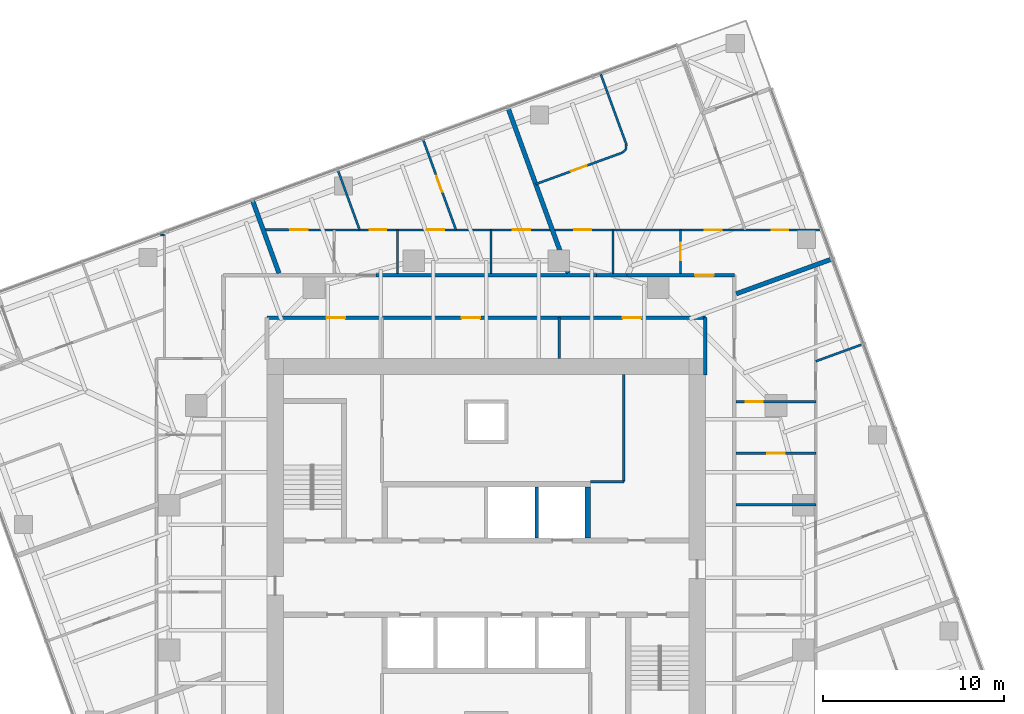
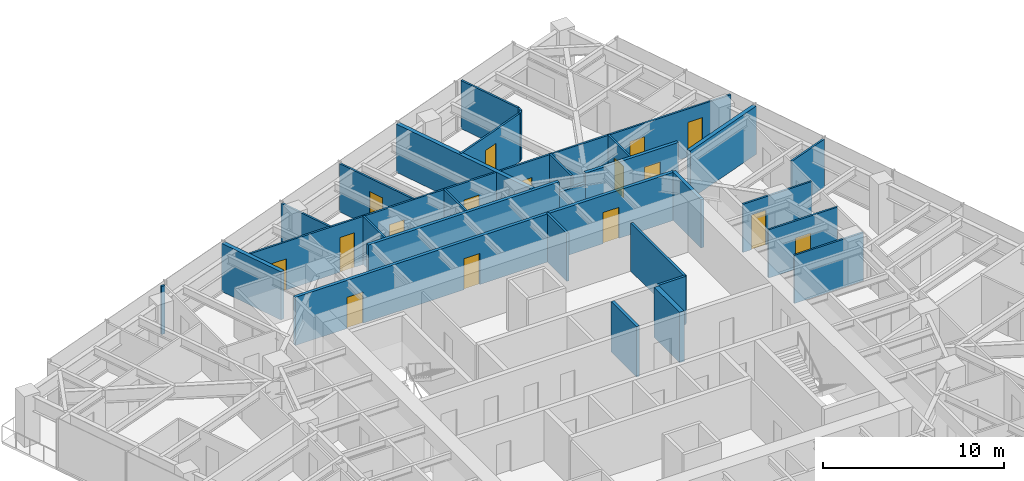
# One storey, part 11 of 13: 29 walls, 16 doors, 16 openings.
"""IFC4 building model written with IfcOpenShell, lengths in metres."""

from ifc_helpers import new_model, si_unit, direction, frame, frame_2d, origin, place, context, subcontext, project, spatial, rectangle, extrude, material, layer, layer_set, type_object, element, fill, save


model = new_model("IFC4")

# Units and contexts
model_context = context("Model", 3, precision=1e-05, world=origin(), true_north=direction((0.0, 1.0)))
body_context = subcontext(model_context, "Body", "Model", "MODEL_VIEW")
ifc_project = project(units=[si_unit("LENGTHUNIT", "METRE"), si_unit("AREAUNIT", "SQUARE_METRE"), si_unit("VOLUMEUNIT", "CUBIC_METRE"), si_unit("PLANEANGLEUNIT", "RADIAN"), si_unit("MASSUNIT", "GRAM", prefix="KILO")], contexts=[model_context])

# Site, building, storey
site_placement = place(None, origin())
site = spatial("IfcSite", under=ifc_project, at=site_placement, CompositionType="ELEMENT")
building_placement = place(site_placement, origin())
building = spatial("IfcBuilding", under=site, at=building_placement, Name="Torsade Residences", CompositionType="ELEMENT")
storey_placement = place(building_placement, frame((0.0, 0.0, 164.199951171875)))
storey = spatial("IfcBuildingStorey", under=building, at=storey_placement, Name="L45", CompositionType="ELEMENT", Elevation=164.199951171875)

# Wall
ifc_material_1 = material(Name="Concrete 80 MPa", Category="concrete")
ifc_layer_1 = layer(ifc_material_1, 0.300048828125)
ifc_layer_set_1 = layer_set([ifc_layer_1], Name="Concrete 80 MPa")
wall_type_1 = type_object("IfcWallType", Name="CORE INTERNAL WALL 300", PredefinedType="SHEAR", material=ifc_layer_set_1)
wall_1_placement = place(storey_placement, frame((45.60009765625, 32.199951171875, 0.0), z_axis=(0.0, 0.0, 1.0), x_axis=(0.0, 1.0, 0.0)))
element("IfcWall", 1, at=wall_1_placement, inside=storey, type_object=wall_type_1, Name="Core wall DN4 L45", PredefinedType="SHEAR", context=body_context, shape_type="SweptSolid", body=[
    extrude(rectangle(XDim=2.800048828125, YDim=0.300048828125, at=frame_2d((1.39990234375, 0.0))), origin(), (0.0, 0.0, 1.0), 3.400146484375),
])

# Wall, opening, door
ifc_material_2 = material(Name="Plasterboard on steel stud", Category="steel")
ifc_layer_2 = layer(ifc_material_2, 0.199951171875)
ifc_layer_set_2 = layer_set([ifc_layer_2], Name="Plasterboard on steel stud")
wall_type_2 = type_object("IfcWallType", Name="CORRIDOR WALL 200", PredefinedType="PARTITIONING", material=ifc_layer_set_2)
wall_2_placement = place(storey_placement, frame((53.699951171875, 46.699951171875, 0.0), z_axis=(0.0, 0.0, 1.0), x_axis=(-1.0, 0.0, 0.0)))
wall_2 = element("IfcWall", 2, at=wall_2_placement, inside=storey, type_object=wall_type_2, Name="Corridor wall L45", PredefinedType="PARTITIONING", context=body_context, shape_type="SweptSolid", body=[
    extrude(rectangle(XDim=5.9248046875, YDim=0.199951171875, at=frame_2d((2.96240234375, 0.0))), origin(), (0.0, 0.0, 1.0), 3.25),
])
opening_1_placement = place(wall_2_placement, frame((1.150634765625, 0.0, 0.0)))
opening_1 = element("IfcOpeningElement", 3, at=opening_1_placement, cuts=wall_2, Name="Opening D01", PredefinedType="OPENING", context=body_context, shape_type="SweptSolid", body=[
    extrude(rectangle(XDim=1.02001953125, YDim=2.340087890625, at=frame_2d((0.510009765625, 1.169921875))), frame((0.0, 0.10986328125, 0.0), z_axis=(0.0, -1.0, 0.0), x_axis=(1.0, 0.0, 0.0)), (0.0, 0.0, 1.0), 0.219970703125),
])
ifc_material_3 = material(Name="Solid-core timber fire door", Category="wood")
door_type_1 = type_object("IfcDoorType", Name="APARTMENT ENTRY DOOR 1020x2340", OperationType="NOTDEFINED", PredefinedType="DOOR", material=ifc_material_3)
door_1_placement = place(opening_1_placement, origin())
door_1 = element("IfcDoor", 4, at=door_1_placement, inside=storey, type_object=door_type_1, Name="Door Residential corridor to Kitchen and dining", OperationType="SINGLE_SWING_LEFT", OverallHeight=2.340087890625, OverallWidth=1.02001953125, PredefinedType="DOOR", context=body_context, shape_type="SweptSolid", body=[
    extrude(rectangle(XDim=1.02001953125, YDim=2.340087890625, at=frame_2d((0.510009765625, 1.169921875))), frame((0.0, 0.02490234375, 0.0), z_axis=(0.0, -1.0, 0.0), x_axis=(1.0, 0.0, 0.0)), (0.0, 0.0, 1.0), 0.050048828125),
])
fill(opening_1, door_1)

# Walls
wall_3_placement = place(storey_placement, frame((47.775146484375, 46.699951171875, 0.0), z_axis=(0.0, 0.0, 1.0), x_axis=(-1.0, 0.0, 0.0)))
element("IfcWall", 5, at=wall_3_placement, inside=storey, type_object=wall_type_2, Name="Corridor wall L45", PredefinedType="PARTITIONING", context=body_context, shape_type="SweptSolid", body=[
    extrude(rectangle(XDim=1.68359375, YDim=0.199951171875, at=frame_2d((0.841796875, 0.0))), origin(), (0.0, 0.0, 1.0), 2.550048828125),
])
wall_4_placement = place(storey_placement, frame((46.091552734375, 46.699951171875, 0.0), z_axis=(0.0, 0.0, 1.0), x_axis=(-1.0, 0.0, 0.0)))
element("IfcWall", 6, at=wall_4_placement, inside=storey, type_object=wall_type_2, Name="Corridor wall L45", PredefinedType="PARTITIONING", context=body_context, shape_type="SweptSolid", body=[
    extrude(rectangle(XDim=12.18310546875, YDim=0.199951171875, at=frame_2d((6.091552734375, 0.0))), origin(), (0.0, 0.0, 1.0), 3.25),
])

# Wall, openings, doors
wall_5_placement = place(storey_placement, frame((52.10009765625, 44.35009765625, 0.0), z_axis=(0.0, 0.0, 1.0), x_axis=(-1.0, 0.0, 0.0)))
wall_5 = element("IfcWall", 7, at=wall_5_placement, inside=storey, type_object=wall_type_2, Name="Corridor wall L45", PredefinedType="PARTITIONING", context=body_context, shape_type="SweptSolid", body=[
    extrude(rectangle(XDim=24.2001953125, YDim=0.199951171875, at=frame_2d((12.10009765625, 0.0))), origin(), (0.0, 0.0, 1.0), 3.25),
])
opening_2_placement = place(wall_5_placement, frame((12.43701171875, 0.0, 0.0)))
opening_2 = element("IfcOpeningElement", 8, at=opening_2_placement, cuts=wall_5, Name="Opening D03", PredefinedType="OPENING", context=body_context, shape_type="SweptSolid", body=[
    extrude(rectangle(XDim=1.02001953125, YDim=2.10009765625, at=frame_2d((0.510009765625, 1.050048828125))), frame((0.0, 0.10986328125, 0.0), z_axis=(0.0, -1.0, 0.0), x_axis=(1.0, 0.0, 0.0)), (0.0, 0.0, 1.0), 0.219970703125),
])
opening_3_placement = place(wall_5_placement, frame((3.544189453125, 0.0, 0.0)))
opening_3 = element("IfcOpeningElement", 9, at=opening_3_placement, cuts=wall_5, Name="Opening D03", PredefinedType="OPENING", context=body_context, shape_type="SweptSolid", body=[
    extrude(rectangle(XDim=1.02001953125, YDim=2.10009765625, at=frame_2d((0.510009765625, 1.050048828125))), frame((0.0, 0.10986328125, 0.0), z_axis=(0.0, -1.0, 0.0), x_axis=(1.0, 0.0, 0.0)), (0.0, 0.0, 1.0), 0.219970703125),
])
opening_4_placement = place(wall_5_placement, frame((19.8828125, 0.0, 0.0)))
opening_4 = element("IfcOpeningElement", 10, at=opening_4_placement, cuts=wall_5, Name="Opening D03", PredefinedType="OPENING", context=body_context, shape_type="SweptSolid", body=[
    extrude(rectangle(XDim=1.02001953125, YDim=2.10009765625, at=frame_2d((0.510009765625, 1.050048828125))), frame((0.0, 0.10986328125, 0.0), z_axis=(0.0, -1.0, 0.0), x_axis=(1.0, 0.0, 0.0)), (0.0, 0.0, 1.0), 0.219970703125),
])
ifc_material_4 = material(Name="Steel-framed fire door", Category="steel")
door_type_2 = type_object("IfcDoorType", Name="FIRE DOOR 1020", OperationType="NOTDEFINED", PredefinedType="DOOR", material=ifc_material_4)
door_2_placement = place(opening_2_placement, origin())
door_2 = element("IfcDoor", 11, at=door_2_placement, inside=storey, type_object=door_type_2, Name="Door Residential corridor to Cleaner store", OperationType="SINGLE_SWING_LEFT", OverallHeight=2.10009765625, OverallWidth=1.02001953125, PredefinedType="DOOR", context=body_context, shape_type="SweptSolid", body=[
    extrude(rectangle(XDim=1.02001953125, YDim=2.10009765625, at=frame_2d((0.510009765625, 1.050048828125))), frame((0.0, 0.02490234375, 0.0), z_axis=(0.0, -1.0, 0.0), x_axis=(1.0, 0.0, 0.0)), (0.0, 0.0, 1.0), 0.050048828125),
])
fill(opening_2, door_2)
door_3_placement = place(opening_3_placement, origin())
door_3 = element("IfcDoor", 12, at=door_3_placement, inside=storey, type_object=door_type_2, Name="Door Residential corridor to Parcel room", OperationType="SINGLE_SWING_LEFT", OverallHeight=2.10009765625, OverallWidth=1.02001953125, PredefinedType="DOOR", context=body_context, shape_type="SweptSolid", body=[
    extrude(rectangle(XDim=1.02001953125, YDim=2.10009765625, at=frame_2d((0.510009765625, 1.050048828125))), frame((0.0, 0.02490234375, 0.0), z_axis=(0.0, -1.0, 0.0), x_axis=(1.0, 0.0, 0.0)), (0.0, 0.0, 1.0), 0.050048828125),
])
fill(opening_3, door_3)
door_4_placement = place(opening_4_placement, origin())
door_4 = element("IfcDoor", 13, at=door_4_placement, inside=storey, type_object=door_type_2, Name="Door Residential corridor to Residents storage", OperationType="SINGLE_SWING_LEFT", OverallHeight=2.10009765625, OverallWidth=1.02001953125, PredefinedType="DOOR", context=body_context, shape_type="SweptSolid", body=[
    extrude(rectangle(XDim=1.02001953125, YDim=2.10009765625, at=frame_2d((0.510009765625, 1.050048828125))), frame((0.0, 0.02490234375, 0.0), z_axis=(0.0, -1.0, 0.0), x_axis=(1.0, 0.0, 0.0)), (0.0, 0.0, 1.0), 0.050048828125),
])
fill(opening_4, door_4)

# Walls
wall_6_placement = place(storey_placement, frame((52.10009765625, 41.179931640625, 0.0), z_axis=(0.0, 0.0, 1.0), x_axis=(0.0, 1.0, 0.0)))
element("IfcWall", 14, at=wall_6_placement, inside=storey, type_object=wall_type_2, Name="Corridor wall L45", PredefinedType="PARTITIONING", context=body_context, shape_type="SweptSolid", body=[
    extrude(rectangle(XDim=3.170166015625, YDim=0.199951171875, at=frame_2d((1.5849609375, 0.0))), origin(), (0.0, 0.0, 1.0), 3.25),
])
ifc_material_5 = material(Name="Reinforced blockwork", Category="masonry")
ifc_layer_3 = layer(ifc_material_5, 0.199951171875)
ifc_layer_set_3 = layer_set([ifc_layer_3], Name="Reinforced blockwork")
wall_type_3 = type_object("IfcWallType", Name="LIFT SHAFT DIVIDING WALL 200", PredefinedType="SOLIDWALL", material=ifc_layer_set_3)
wall_7_placement = place(storey_placement, frame((42.800048828125, 32.199951171875, 0.0), z_axis=(0.0, 0.0, 1.0), x_axis=(0.0, 1.0, 0.0)))
element("IfcWall", 15, at=wall_7_placement, inside=storey, type_object=wall_type_3, Name="Core wall DN3 L45", PredefinedType="SOLIDWALL", context=body_context, shape_type="SweptSolid", body=[
    extrude(rectangle(XDim=2.800048828125, YDim=0.199951171875, at=frame_2d((1.39990234375, 0.0))), origin(), (0.0, 0.0, 1.0), 3.400146484375),
])

# Wall, opening, door
ifc_material_6 = material(Name="Plasterboard on steel stud", Category="steel")
ifc_layer_4 = layer(ifc_material_6, 0.1201171875)
ifc_layer_set_4 = layer_set([ifc_layer_4], Name="Plasterboard on steel stud")
wall_type_4 = type_object("IfcWallType", Name="PARTITION 120", PredefinedType="PARTITIONING", material=ifc_layer_set_4)
wall_8_placement = place(storey_placement, frame((58.199951171875, 39.713134765625, 0.0), z_axis=(0.0, 0.0, 1.0), x_axis=(-1.0, 0.0, 0.0)))
wall_8 = element("IfcWall", 16, at=wall_8_placement, inside=storey, type_object=wall_type_4, Name="Partition L45", PredefinedType="PARTITIONING", context=body_context, shape_type="SweptSolid", body=[
    extrude(rectangle(XDim=4.39990234375, YDim=0.1201171875, at=frame_2d((2.199951171875, 0.0))), origin(), (0.0, 0.0, 1.0), 3.25),
])
opening_5_placement = place(wall_8_placement, frame((2.93994140625, 0.0, 0.0)))
opening_5 = element("IfcOpeningElement", 17, at=opening_5_placement, cuts=wall_8, Name="Opening D02", PredefinedType="OPENING", context=body_context, shape_type="SweptSolid", body=[
    extrude(rectangle(XDim=0.919921875, YDim=2.340087890625, at=frame_2d((0.4599609375, 1.169921875))), frame((0.0, 0.070068359375, 0.0), z_axis=(0.0, -1.0, 0.0), x_axis=(1.0, 0.0, 0.0)), (0.0, 0.0, 1.0), 0.14013671875),
])
ifc_material_7 = material(Name="Hollow-core timber door", Category="wood")
door_type_3 = type_object("IfcDoorType", Name="INTERNAL DOOR 920x2340", OperationType="NOTDEFINED", PredefinedType="DOOR", material=ifc_material_7)
door_5_placement = place(opening_5_placement, origin())
door_5 = element("IfcDoor", 18, at=door_5_placement, inside=storey, type_object=door_type_3, Name="Door Kitchen and dining to Dressing room", OperationType="SINGLE_SWING_LEFT", OverallHeight=2.340087890625, OverallWidth=0.919921875, PredefinedType="DOOR", context=body_context, shape_type="SweptSolid", body=[
    extrude(rectangle(XDim=0.919921875, YDim=2.340087890625, at=frame_2d((0.4599609375, 1.169921875))), frame((0.0, 0.02490234375, 0.0), z_axis=(0.0, -1.0, 0.0), x_axis=(1.0, 0.0, 0.0)), (0.0, 0.0, 1.0), 0.050048828125),
])
fill(opening_5, door_5)

wall_9_placement = place(storey_placement, frame((53.800048828125, 36.869873046875, 0.0), z_axis=(0.0, 0.0, 1.0), x_axis=(1.0, 0.0, 0.0)))
wall_9 = element("IfcWall", 19, at=wall_9_placement, inside=storey, type_object=wall_type_4, Name="Partition L45", PredefinedType="PARTITIONING", context=body_context, shape_type="SweptSolid", body=[
    extrude(rectangle(XDim=4.39990234375, YDim=0.1201171875, at=frame_2d((2.199951171875, 0.0))), origin(), (0.0, 0.0, 1.0), 3.25),
])
opening_6_placement = place(wall_9_placement, frame((1.719970703125, 0.0, 0.0)))
opening_6 = element("IfcOpeningElement", 20, at=opening_6_placement, cuts=wall_9, Name="Opening D05", PredefinedType="OPENING", context=body_context, shape_type="SweptSolid", body=[
    extrude(rectangle(XDim=0.9599609375, YDim=2.10009765625, at=frame_2d((0.47998046875, 1.050048828125))), frame((0.0, 0.070068359375, 0.0), z_axis=(0.0, -1.0, 0.0), x_axis=(1.0, 0.0, 0.0)), (0.0, 0.0, 1.0), 0.14013671875),
])
ifc_material_8 = material(Name="Hollow-core timber door in a steel cavity frame", Category="steel")
door_type_4 = type_object("IfcDoorType", Name="BATHROOM CAVITY SLIDING DOOR 960", OperationType="SLIDING_TO_LEFT", PredefinedType="DOOR", material=ifc_material_8)
door_6_placement = place(opening_6_placement, origin())
door_6 = element("IfcDoor", 21, at=door_6_placement, inside=storey, type_object=door_type_4, Name="Door Dressing room to Bathroom", OperationType="SLIDING_TO_LEFT", OverallHeight=2.10009765625, OverallWidth=0.9599609375, PredefinedType="DOOR", context=body_context, shape_type="SweptSolid", body=[
    extrude(rectangle(XDim=0.9599609375, YDim=2.10009765625, at=frame_2d((0.47998046875, 1.050048828125))), frame((0.0, 0.02490234375, 0.0), z_axis=(0.0, -1.0, 0.0), x_axis=(1.0, 0.0, 0.0)), (0.0, 0.0, 1.0), 0.050048828125),
])
fill(opening_6, door_6)

# Walls
wall_10_placement = place(storey_placement, frame((58.199951171875, 34.026611328125, 0.0), z_axis=(0.0, 0.0, 1.0), x_axis=(-1.0, 0.0, 0.0)))
element("IfcWall", 22, at=wall_10_placement, inside=storey, type_object=wall_type_4, Name="Partition L45", PredefinedType="PARTITIONING", context=body_context, shape_type="SweptSolid", body=[
    extrude(rectangle(XDim=4.39990234375, YDim=0.1201171875, at=frame_2d((2.199951171875, 0.0))), origin(), (0.0, 0.0, 1.0), 3.25),
])
wall_11_placement = place(storey_placement, frame((58.199951171875, 41.945068359375, 0.0), z_axis=(0.0, 0.0, 1.0), x_axis=(0.939680234176, 0.34205417334, 0.0)))
element("IfcWall", 23, at=wall_11_placement, inside=storey, type_object=wall_type_4, Name="Partition L45", PredefinedType="PARTITIONING", context=body_context, shape_type="SweptSolid", body=[
    extrude(rectangle(XDim=2.772216796875, YDim=0.1201171875, at=frame_2d((1.38623046875, 0.0))), origin(), (0.0, 0.0, 1.0), 3.25),
])

# Wall, opening, door
wall_12_placement = place(storey_placement, frame((50.728759765625, 46.800048828125, 0.0), z_axis=(0.0, 0.0, 1.0), x_axis=(0.0, 1.0, 0.0)))
wall_12 = element("IfcWall", 24, at=wall_12_placement, inside=storey, type_object=wall_type_4, Name="Partition L45", PredefinedType="PARTITIONING", context=body_context, shape_type="SweptSolid", body=[
    extrude(rectangle(XDim=2.39990234375, YDim=0.1201171875, at=frame_2d((1.199951171875, 0.0))), origin(), (0.0, 0.0, 1.0), 3.25),
])
opening_7_placement = place(wall_12_placement, frame((0.719970703125, 0.0, 0.0)))
opening_7 = element("IfcOpeningElement", 25, at=opening_7_placement, cuts=wall_12, Name="Opening D05", PredefinedType="OPENING", context=body_context, shape_type="SweptSolid", body=[
    extrude(rectangle(XDim=0.9599609375, YDim=2.10009765625, at=frame_2d((0.47998046875, 1.050048828125))), frame((0.0, 0.070068359375, 0.0), z_axis=(0.0, -1.0, 0.0), x_axis=(1.0, 0.0, 0.0)), (0.0, 0.0, 1.0), 0.14013671875),
])
door_7_placement = place(opening_7_placement, origin())
door_7 = element("IfcDoor", 26, at=door_7_placement, inside=storey, type_object=door_type_4, Name="Door Kitchen and dining to Bathroom", OperationType="SLIDING_TO_LEFT", OverallHeight=2.10009765625, OverallWidth=0.9599609375, PredefinedType="DOOR", context=body_context, shape_type="SweptSolid", body=[
    extrude(rectangle(XDim=0.9599609375, YDim=2.10009765625, at=frame_2d((0.47998046875, 1.050048828125))), frame((0.0, 0.02490234375, 0.0), z_axis=(0.0, -1.0, 0.0), x_axis=(1.0, 0.0, 0.0)), (0.0, 0.0, 1.0), 0.050048828125),
])
fill(opening_7, door_7)

# Wall, openings, doors
wall_13_placement = place(storey_placement, frame((27.69091796875, 49.199951171875, 0.0), z_axis=(0.0, 0.0, 1.0), x_axis=(0.999999952285, -0.000308918217, 0.0)))
wall_13 = element("IfcWall", 27, at=wall_13_placement, inside=storey, type_object=wall_type_4, Name="Partition L45", PredefinedType="PARTITIONING", context=body_context, shape_type="SweptSolid", body=[
    extrude(rectangle(XDim=30.822021484375, YDim=0.1201171875, at=frame_2d((15.4111328125, 0.0))), origin(), (0.0, 0.0, 1.0), 3.25),
])
opening_8_placement = place(wall_13_placement, frame((5.88232421875, 0.0, 0.0)))
opening_8 = element("IfcOpeningElement", 28, at=opening_8_placement, cuts=wall_13, Name="Opening D02", PredefinedType="OPENING", context=body_context, shape_type="SweptSolid", body=[
    extrude(rectangle(XDim=0.919921875, YDim=2.340087890625, at=frame_2d((0.4599609375, 1.169921875))), frame((0.0, 0.070068359375, 0.0), z_axis=(0.0, -1.0, 0.0), x_axis=(1.0, 0.0, 0.0)), (0.0, 0.0, 1.0), 0.14013671875),
])
opening_9_placement = place(wall_13_placement, frame((28.070068359375, 0.0, 0.0)))
opening_9 = element("IfcOpeningElement", 29, at=opening_9_placement, cuts=wall_13, Name="Opening D02", PredefinedType="OPENING", context=body_context, shape_type="SweptSolid", body=[
    extrude(rectangle(XDim=0.919921875, YDim=2.340087890625, at=frame_2d((0.4599609375, 1.169921875))), frame((0.0, 0.070068359375, 0.0), z_axis=(0.0, -1.0, 0.0), x_axis=(1.0, 0.0, 0.0)), (0.0, 0.0, 1.0), 0.14013671875),
])
opening_10_placement = place(wall_13_placement, frame((24.3876953125, 0.0, 0.0)))
opening_10 = element("IfcOpeningElement", 30, at=opening_10_placement, cuts=wall_13, Name="Opening D02", PredefinedType="OPENING", context=body_context, shape_type="SweptSolid", body=[
    extrude(rectangle(XDim=0.919921875, YDim=2.340087890625, at=frame_2d((0.4599609375, 1.169921875))), frame((0.0, 0.070068359375, 0.0), z_axis=(0.0, -1.0, 0.0), x_axis=(1.0, 0.0, 0.0)), (0.0, 0.0, 1.0), 0.14013671875),
])
opening_11_placement = place(wall_13_placement, frame((1.506103515625, 0.0, 0.0)))
opening_11 = element("IfcOpeningElement", 31, at=opening_11_placement, cuts=wall_13, Name="Opening D05", PredefinedType="OPENING", context=body_context, shape_type="SweptSolid", body=[
    extrude(rectangle(XDim=0.9599609375, YDim=2.10009765625, at=frame_2d((0.47998046875, 1.050048828125))), frame((0.0, 0.070068359375, 0.0), z_axis=(0.0, -1.0, 0.0), x_axis=(1.0, 0.0, 0.0)), (0.0, 0.0, 1.0), 0.14013671875),
])
opening_12_placement = place(wall_13_placement, frame((17.158203125, 0.0, 0.0)))
opening_12 = element("IfcOpeningElement", 32, at=opening_12_placement, cuts=wall_13, Name="Opening D05", PredefinedType="OPENING", context=body_context, shape_type="SweptSolid", body=[
    extrude(rectangle(XDim=0.9599609375, YDim=2.10009765625, at=frame_2d((0.47998046875, 1.050048828125))), frame((0.0, 0.070068359375, 0.0), z_axis=(0.0, -1.0, 0.0), x_axis=(1.0, 0.0, 0.0)), (0.0, 0.0, 1.0), 0.14013671875),
])
opening_13_placement = place(wall_13_placement, frame((9.026123046875, 0.0, 0.0)))
opening_13 = element("IfcOpeningElement", 33, at=opening_13_placement, cuts=wall_13, Name="Opening D05", PredefinedType="OPENING", context=body_context, shape_type="SweptSolid", body=[
    extrude(rectangle(XDim=0.9599609375, YDim=2.10009765625, at=frame_2d((0.47998046875, 1.050048828125))), frame((0.0, 0.070068359375, 0.0), z_axis=(0.0, -1.0, 0.0), x_axis=(1.0, 0.0, 0.0)), (0.0, 0.0, 1.0), 0.14013671875),
])
opening_14_placement = place(wall_13_placement, frame((13.78759765625, 0.0, 0.0)))
opening_14 = element("IfcOpeningElement", 34, at=opening_14_placement, cuts=wall_13, Name="Opening D05", PredefinedType="OPENING", context=body_context, shape_type="SweptSolid", body=[
    extrude(rectangle(XDim=0.9599609375, YDim=2.10009765625, at=frame_2d((0.47998046875, 1.050048828125))), frame((0.0, 0.070068359375, 0.0), z_axis=(0.0, -1.0, 0.0), x_axis=(1.0, 0.0, 0.0)), (0.0, 0.0, 1.0), 0.14013671875),
])
door_8_placement = place(opening_11_placement, origin())
door_8 = element("IfcDoor", 35, at=door_8_placement, inside=storey, type_object=door_type_4, Name="Door WC to Bedroom 2", OperationType="SLIDING_TO_LEFT", OverallHeight=2.10009765625, OverallWidth=0.9599609375, PredefinedType="DOOR", context=body_context, shape_type="SweptSolid", body=[
    extrude(rectangle(XDim=0.9599609375, YDim=2.10009765625, at=frame_2d((0.47998046875, 1.050048828125))), frame((0.0, 0.02490234375, 0.0), z_axis=(0.0, -1.0, 0.0), x_axis=(1.0, 0.0, 0.0)), (0.0, 0.0, 1.0), 0.050048828125),
])
fill(opening_11, door_8)
door_9_placement = place(opening_12_placement, origin())
door_9 = element("IfcDoor", 36, at=door_9_placement, inside=storey, type_object=door_type_4, Name="Door Living room to Ensuite", OperationType="SLIDING_TO_LEFT", OverallHeight=2.10009765625, OverallWidth=0.9599609375, PredefinedType="DOOR", context=body_context, shape_type="SweptSolid", body=[
    extrude(rectangle(XDim=0.9599609375, YDim=2.10009765625, at=frame_2d((0.47998046875, 1.050048828125))), frame((0.0, 0.02490234375, 0.0), z_axis=(0.0, -1.0, 0.0), x_axis=(1.0, 0.0, 0.0)), (0.0, 0.0, 1.0), 0.050048828125),
])
fill(opening_12, door_9)
door_10_placement = place(opening_13_placement, origin())
door_10 = element("IfcDoor", 37, at=door_10_placement, inside=storey, type_object=door_type_4, Name="Door Bedroom 1 to Bathroom", OperationType="SLIDING_TO_LEFT", OverallHeight=2.10009765625, OverallWidth=0.9599609375, PredefinedType="DOOR", context=body_context, shape_type="SweptSolid", body=[
    extrude(rectangle(XDim=0.9599609375, YDim=2.10009765625, at=frame_2d((0.47998046875, 1.050048828125))), frame((0.0, 0.02490234375, 0.0), z_axis=(0.0, -1.0, 0.0), x_axis=(1.0, 0.0, 0.0)), (0.0, 0.0, 1.0), 0.050048828125),
])
fill(opening_13, door_10)
door_11_placement = place(opening_14_placement, origin())
door_11 = element("IfcDoor", 38, at=door_11_placement, inside=storey, type_object=door_type_4, Name="Door Living room to Ensuite", OperationType="SLIDING_TO_LEFT", OverallHeight=2.10009765625, OverallWidth=0.9599609375, PredefinedType="DOOR", context=body_context, shape_type="SweptSolid", body=[
    extrude(rectangle(XDim=0.9599609375, YDim=2.10009765625, at=frame_2d((0.47998046875, 1.050048828125))), frame((0.0, 0.02490234375, 0.0), z_axis=(0.0, -1.0, 0.0), x_axis=(1.0, 0.0, 0.0)), (0.0, 0.0, 1.0), 0.050048828125),
])
fill(opening_14, door_11)
door_12_placement = place(opening_8_placement, origin())
door_12 = element("IfcDoor", 39, at=door_12_placement, inside=storey, type_object=door_type_3, Name="Door Kitchen and dining to Bedroom 1", OperationType="SINGLE_SWING_LEFT", OverallHeight=2.340087890625, OverallWidth=0.919921875, PredefinedType="DOOR", context=body_context, shape_type="SweptSolid", body=[
    extrude(rectangle(XDim=0.919921875, YDim=2.340087890625, at=frame_2d((0.4599609375, 1.169921875))), frame((0.0, 0.02490234375, 0.0), z_axis=(0.0, -1.0, 0.0), x_axis=(1.0, 0.0, 0.0)), (0.0, 0.0, 1.0), 0.050048828125),
])
fill(opening_8, door_12)
door_13_placement = place(opening_9_placement, origin())
door_13 = element("IfcDoor", 40, at=door_13_placement, inside=storey, type_object=door_type_3, Name="Door Kitchen and dining to Bedroom 3", OperationType="SINGLE_SWING_LEFT", OverallHeight=2.340087890625, OverallWidth=0.919921875, PredefinedType="DOOR", context=body_context, shape_type="SweptSolid", body=[
    extrude(rectangle(XDim=0.919921875, YDim=2.340087890625, at=frame_2d((0.4599609375, 1.169921875))), frame((0.0, 0.02490234375, 0.0), z_axis=(0.0, -1.0, 0.0), x_axis=(1.0, 0.0, 0.0)), (0.0, 0.0, 1.0), 0.050048828125),
])
fill(opening_9, door_13)
door_14_placement = place(opening_10_placement, origin())
door_14 = element("IfcDoor", 41, at=door_14_placement, inside=storey, type_object=door_type_3, Name="Door Kitchen and dining to Living room", OperationType="SINGLE_SWING_RIGHT", OverallHeight=2.340087890625, OverallWidth=0.919921875, PredefinedType="DOOR", context=body_context, shape_type="SweptSolid", body=[
    extrude(rectangle(XDim=0.919921875, YDim=2.340087890625, at=frame_2d((0.4599609375, 1.169921875))), frame((0.0, 0.02490234375, 0.0), z_axis=(0.0, -1.0, 0.0), x_axis=(1.0, 0.0, 0.0)), (0.0, 0.0, 1.0), 0.050048828125),
])
fill(opening_10, door_14)

# Wall
wall_14_placement = place(storey_placement, frame((47.0048828125, 46.800048828125, 0.0), z_axis=(0.0, 0.0, 1.0), x_axis=(0.0, 1.0, 0.0)))
element("IfcWall", 42, at=wall_14_placement, inside=storey, type_object=wall_type_4, Name="Partition L45", PredefinedType="PARTITIONING", context=body_context, shape_type="SweptSolid", body=[
    extrude(rectangle(XDim=2.39990234375, YDim=0.1201171875, at=frame_2d((1.199951171875, 0.0))), origin(), (0.0, 0.0, 1.0), 3.25),
])

# Wall, opening, door
wall_15_placement = place(storey_placement, frame((42.736328125, 51.72021484375, 0.0), z_axis=(0.0, 0.0, 1.0), x_axis=(0.939707596988, 0.341978993747, 0.0)))
wall_15 = element("IfcWall", 43, at=wall_15_placement, inside=storey, type_object=wall_type_4, Name="Partition L45", PredefinedType="PARTITIONING", context=body_context, shape_type="SweptSolid", body=[
    extrude(rectangle(XDim=5.068115234375, YDim=0.1201171875, at=frame_2d((2.5341796875, 0.0))), origin(), (0.0, 0.0, 1.0), 3.25),
])
opening_15_placement = place(wall_15_placement, frame((2.073974609375, 0.0, 0.0)))
opening_15 = element("IfcOpeningElement", 44, at=opening_15_placement, cuts=wall_15, Name="Opening D02", PredefinedType="OPENING", context=body_context, shape_type="SweptSolid", body=[
    extrude(rectangle(XDim=0.919921875, YDim=2.340087890625, at=frame_2d((0.4599609375, 1.169921875))), frame((0.0, 0.070068359375, 0.0), z_axis=(0.0, -1.0, 0.0), x_axis=(1.0, 0.0, 0.0)), (0.0, 0.0, 1.0), 0.14013671875),
])
door_15_placement = place(opening_15_placement, origin())
door_15 = element("IfcDoor", 45, at=door_15_placement, inside=storey, type_object=door_type_3, Name="Door Living room to Bedroom 1", OperationType="SINGLE_SWING_LEFT", OverallHeight=2.340087890625, OverallWidth=0.919921875, PredefinedType="DOOR", context=body_context, shape_type="SweptSolid", body=[
    extrude(rectangle(XDim=0.919921875, YDim=2.340087890625, at=frame_2d((0.4599609375, 1.169921875))), frame((0.0, 0.02490234375, 0.0), z_axis=(0.0, -1.0, 0.0), x_axis=(1.0, 0.0, 0.0)), (0.0, 0.0, 1.0), 0.050048828125),
])
fill(opening_15, door_15)

# Walls
wall_16_placement = place(storey_placement, frame((47.498779296875, 53.453369140625, 0.0), z_axis=(0.0, 0.0, 1.0), x_axis=(0.769326440299, 0.638855874401, 0.0)))
element("IfcWall", 46, at=wall_16_placement, inside=storey, type_object=wall_type_4, Name="Partition L45", PredefinedType="PARTITIONING", context=body_context, shape_type="SweptSolid", body=[
    extrude(rectangle(XDim=0.271240234375, YDim=0.1201171875, at=frame_2d((0.1357421875, 0.0))), origin(), (0.0, 0.0, 1.0), 3.25),
])
wall_17_placement = place(storey_placement, frame((47.70751953125, 53.626708984375, 0.0), z_axis=(0.0, 0.0, 1.0), x_axis=(0.092395121176, 0.995722421955, 0.0)))
element("IfcWall", 47, at=wall_17_placement, inside=storey, type_object=wall_type_4, Name="Partition L45", PredefinedType="PARTITIONING", context=body_context, shape_type="SweptSolid", body=[
    extrude(rectangle(XDim=0.2958984375, YDim=0.1201171875, at=frame_2d((0.14794921875, 0.0))), origin(), (0.0, 0.0, 1.0), 3.25),
])
wall_18_placement = place(storey_placement, frame((47.73486328125, 53.92138671875, 0.0), z_axis=(0.0, 0.0, 1.0), x_axis=(-0.342004304159, 0.93969838562, 0.0)))
element("IfcWall", 48, at=wall_18_placement, inside=storey, type_object=wall_type_4, Name="Partition L45", PredefinedType="PARTITIONING", context=body_context, shape_type="SweptSolid", body=[
    extrude(rectangle(XDim=4.126708984375, YDim=0.1201171875, at=frame_2d((2.0634765625, 0.0))), origin(), (0.0, 0.0, 1.0), 3.25),
])
for number, where, z_axis, x_axis, name in (
    (49, (35.10791015625, 49.199951171875, 0.0), (0.0, 0.0, 1.0), (0.0, -1.0, 0.0), "Partition L45"),
    (50, (40.263427734375, 49.199951171875, 0.0), (0.0, 0.0, 1.0), (0.0, -1.0, 0.0), "Partition L45"),
):
    element("IfcWall", number, at=place(storey_placement, frame(where, z_axis=z_axis, x_axis=x_axis)), inside=storey, type_object=wall_type_4, Name=name, PredefinedType="PARTITIONING", context=body_context, shape_type="SweptSolid", body=[
        extrude(rectangle(XDim=2.39990234375, YDim=0.1201171875, at=frame_2d((1.199951171875, 0.0))), origin(), (0.0, 0.0, 1.0), 3.25),
    ])

# Wall, opening, door
wall_19_placement = place(storey_placement, frame((38.33251953125, 49.199951171875, 0.0), z_axis=(0.0, 0.0, 1.0), x_axis=(-0.341995981916, 0.939701414468, 0.0)))
wall_19 = element("IfcWall", 51, at=wall_19_placement, inside=storey, type_object=wall_type_4, Name="Partition L45", PredefinedType="PARTITIONING", context=body_context, shape_type="SweptSolid", body=[
    extrude(rectangle(XDim=5.34765625, YDim=0.1201171875, at=frame_2d((2.673828125, 0.0))), origin(), (0.0, 0.0, 1.0), 3.25),
])
opening_16_placement = place(wall_19_placement, frame((2.23388671875, 0.0, 0.0)))
opening_16 = element("IfcOpeningElement", 52, at=opening_16_placement, cuts=wall_19, Name="Opening D02", PredefinedType="OPENING", context=body_context, shape_type="SweptSolid", body=[
    extrude(rectangle(XDim=0.919921875, YDim=2.340087890625, at=frame_2d((0.4599609375, 1.169921875))), frame((0.0, 0.070068359375, 0.0), z_axis=(0.0, -1.0, 0.0), x_axis=(1.0, 0.0, 0.0)), (0.0, 0.0, 1.0), 0.14013671875),
])
door_16_placement = place(opening_16_placement, origin())
door_16 = element("IfcDoor", 53, at=door_16_placement, inside=storey, type_object=door_type_3, Name="Door Bedroom 1 to Living room", OperationType="SINGLE_SWING_LEFT", OverallHeight=2.340087890625, OverallWidth=0.919921875, PredefinedType="DOOR", context=body_context, shape_type="SweptSolid", body=[
    extrude(rectangle(XDim=0.919921875, YDim=2.340087890625, at=frame_2d((0.4599609375, 1.169921875))), frame((0.0, 0.02490234375, 0.0), z_axis=(0.0, -1.0, 0.0), x_axis=(1.0, 0.0, 0.0)), (0.0, 0.0, 1.0), 0.050048828125),
])
fill(opening_16, door_16)

# Walls
wall_20_placement = place(storey_placement, frame((33.01171875, 49.199951171875, 0.0), z_axis=(0.0, 0.0, 1.0), x_axis=(-0.341998645001, 0.939700445258, 0.0)))
element("IfcWall", 54, at=wall_20_placement, inside=storey, type_object=wall_type_4, Name="Partition L45", PredefinedType="PARTITIONING", context=body_context, shape_type="SweptSolid", body=[
    extrude(rectangle(XDim=3.52783203125, YDim=0.1201171875, at=frame_2d((1.763916015625, 0.0))), origin(), (0.0, 0.0, 1.0), 3.25),
])
wall_21_placement = place(storey_placement, frame((22.25, 48.916015625, 0.0), z_axis=(0.0, 0.0, 1.0), x_axis=(-1.0, 0.0, 0.0)))
element("IfcWall", 55, at=wall_21_placement, inside=storey, type_object=wall_type_4, Name="Partition L45", PredefinedType="PARTITIONING", context=body_context, shape_type="SweptSolid", body=[
    extrude(rectangle(XDim=0.22509765625, YDim=0.1201171875, at=frame_2d((0.112548828125, 0.0))), origin(), (0.0, 0.0, 1.0), 3.25),
])
ifc_material_9 = material(Name="Masonry-lined stud party wall", Category="masonry")
ifc_layer_5 = layer(ifc_material_9, 0.25)
ifc_layer_set_5 = layer_set([ifc_layer_5], Name="Masonry-lined stud party wall")
wall_type_5 = type_object("IfcWallType", Name="PARTY WALL 250", PredefinedType="PARTITIONING", material=ifc_layer_set_5)
wall_22_placement = place(storey_placement, frame((59.13232421875, 47.60546875, 0.0), z_axis=(0.0, 0.0, 1.0), x_axis=(-0.939690274876, -0.342026588591, 0.0)))
element("IfcWall", 56, at=wall_22_placement, inside=storey, type_object=wall_type_5, Name="Party wall L45", PredefinedType="PARTITIONING", context=body_context, shape_type="SweptSolid", body=[
    extrude(rectangle(XDim=5.6689453125, YDim=0.25, at=frame_2d((2.83447265625, 0.0))), origin(), (0.0, 0.0, 1.0), 3.25),
])
wall_23_placement = place(storey_placement, frame((41.1884765625, 55.972900390625, 0.0), z_axis=(0.0, 0.0, 1.0), x_axis=(0.342010282049, -0.939696209938, 0.0)))
element("IfcWall", 57, at=wall_23_placement, inside=storey, type_object=wall_type_5, Name="Party wall L45", PredefinedType="PARTITIONING", context=body_context, shape_type="SweptSolid", body=[
    extrude(rectangle(XDim=9.756103515625, YDim=0.25, at=frame_2d((4.8779296875, 0.0))), origin(), (0.0, 0.0, 1.0), 3.25),
])
wall_24_placement = place(storey_placement, frame((27.093017578125, 50.842529296875, 0.0), z_axis=(0.0, 0.0, 1.0), x_axis=(0.3420213594, -0.93969217817, 0.0)))
element("IfcWall", 58, at=wall_24_placement, inside=storey, type_object=wall_type_5, Name="Party wall L45", PredefinedType="PARTITIONING", context=body_context, shape_type="SweptSolid", body=[
    extrude(rectangle(XDim=4.29638671875, YDim=0.25, at=frame_2d((2.148193359375, 0.0))), origin(), (0.0, 0.0, 1.0), 3.25),
])
ifc_material_10 = material(Name="Reinforced blockwork", Category="masonry")
ifc_layer_6 = layer(ifc_material_10, 0.14990234375)
ifc_layer_set_6 = layer_set([ifc_layer_6], Name="Reinforced blockwork")
wall_type_6 = type_object("IfcWallType", Name="SERVICE ROOM WALL 150", PredefinedType="SOLIDWALL", material=ifc_layer_set_6)
wall_25_placement = place(storey_placement, frame((47.60009765625, 41.199951171875, 0.0), z_axis=(0.0, 0.0, 1.0), x_axis=(0.0, -1.0, 0.0)))
element("IfcWall", 59, at=wall_25_placement, inside=storey, type_object=wall_type_6, Name="Service room wall L45", PredefinedType="SOLIDWALL", context=body_context, shape_type="SweptSolid", body=[
    extrude(rectangle(XDim=5.89990234375, YDim=0.14990234375, at=frame_2d((2.949951171875, 0.0))), origin(), (0.0, 0.0, 1.0), 3.25),
])
wall_26_placement = place(storey_placement, frame((47.60009765625, 35.300048828125, 0.0), z_axis=(0.0, 0.0, 1.0), x_axis=(-1.0, 0.0, 0.0)))
element("IfcWall", 60, at=wall_26_placement, inside=storey, type_object=wall_type_6, Name="Service room wall L45", PredefinedType="SOLIDWALL", context=body_context, shape_type="SweptSolid", body=[
    extrude(rectangle(XDim=1.85009765625, YDim=0.14990234375, at=frame_2d((0.925048828125, 0.0))), origin(), (0.0, 0.0, 1.0), 3.25),
])
wall_27_placement = place(storey_placement, frame((44.04150390625, 42.10009765625, 0.0), z_axis=(0.0, 0.0, 1.0), x_axis=(0.0, 1.0, 0.0)))
element("IfcWall", 61, at=wall_27_placement, inside=storey, type_object=wall_type_6, Name="Service room wall L45", PredefinedType="SOLIDWALL", context=body_context, shape_type="SweptSolid", body=[
    extrude(rectangle(XDim=2.25, YDim=0.14990234375, at=frame_2d((1.125, 0.0))), origin(), (0.0, 0.0, 1.0), 3.25),
])

save(model, "model.ifc")
